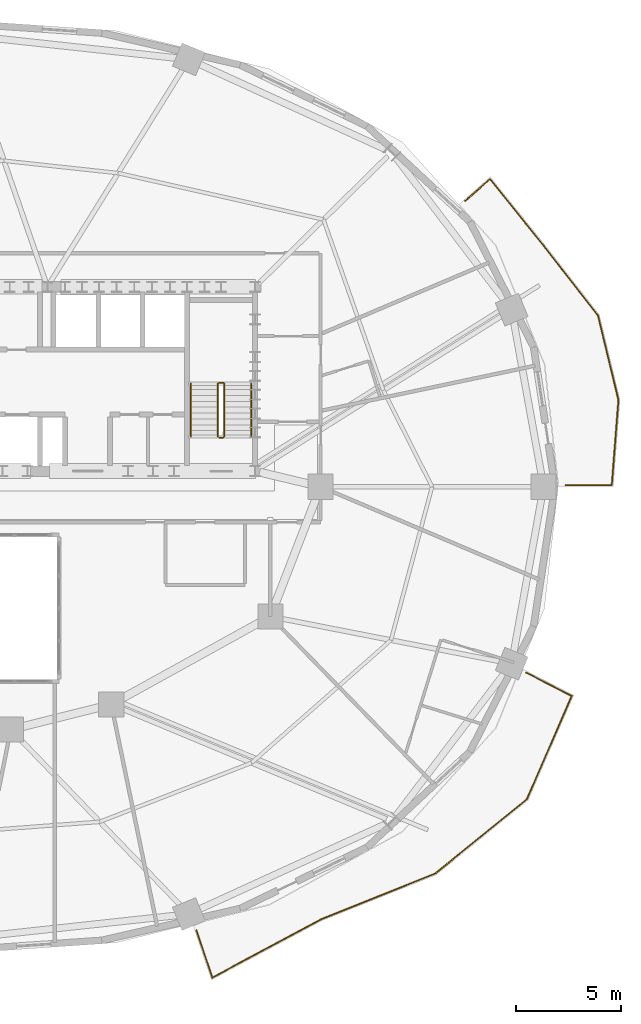
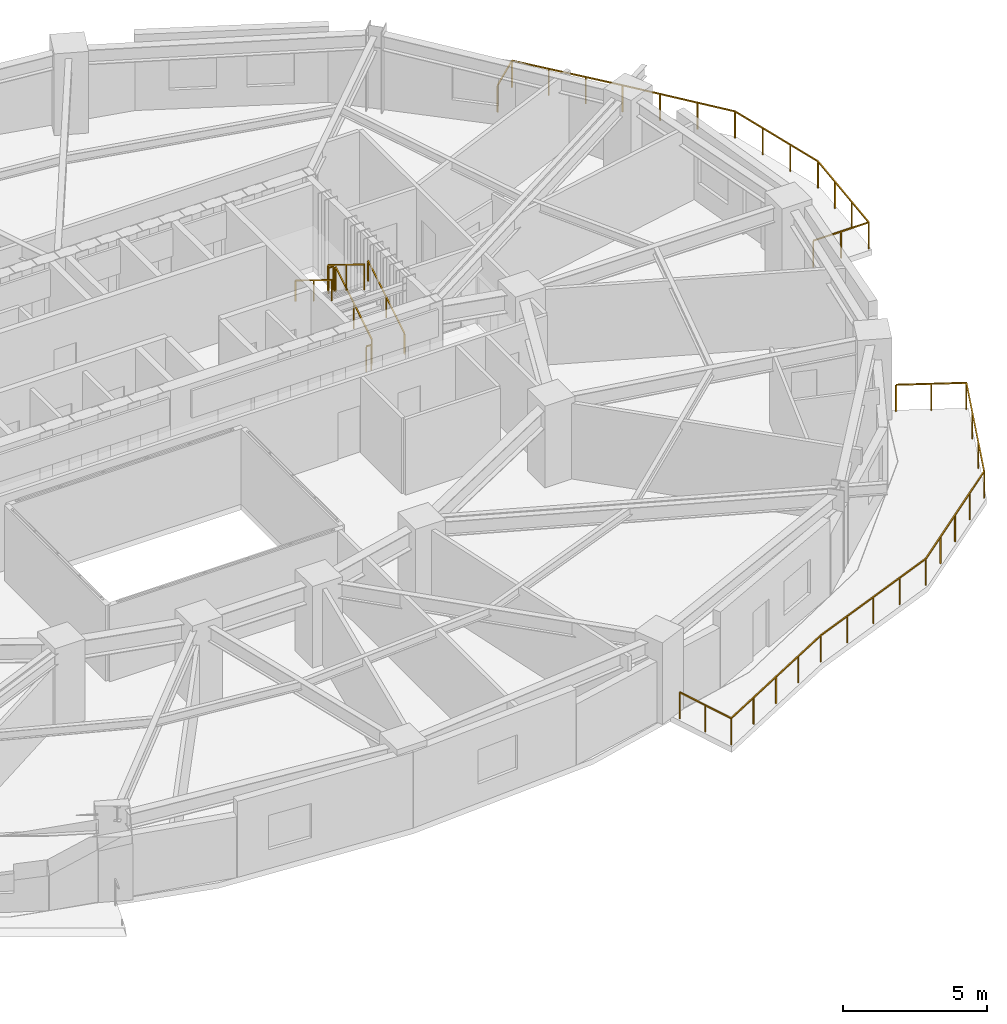
# One storey, part 12 of 12: 8 railings.
"""IFC4 building model written with IfcOpenShell, lengths in metres."""

from ifc_helpers import new_model, si_unit, direction, frame, origin, origin_2d, place, context, subcontext, project, spatial, rectangle, extrude, material, type_object, element, save


model = new_model("IFC4")

# Units and contexts
model_context = context("Model", 3, precision=1e-05, world=origin(), true_north=direction((0.0, 1.0)))
body_context = subcontext(model_context, "Body", "Model", "MODEL_VIEW")
ifc_project = project(units=[si_unit("LENGTHUNIT", "METRE"), si_unit("AREAUNIT", "SQUARE_METRE"), si_unit("VOLUMEUNIT", "CUBIC_METRE"), si_unit("PLANEANGLEUNIT", "RADIAN"), si_unit("MASSUNIT", "GRAM", prefix="KILO")], contexts=[model_context])

# Site, building, storey
site_placement = place(None, origin())
site = spatial("IfcSite", under=ifc_project, at=site_placement, CompositionType="ELEMENT")
building_placement = place(site_placement, origin())
building = spatial("IfcBuilding", under=site, at=building_placement, Name="Haldorwick Loom Tower", CompositionType="ELEMENT")
storey_placement = place(building_placement, frame((0.0, 0.0, 113.89990234375)))
storey = spatial("IfcBuildingStorey", under=building, at=storey_placement, Name="L30", CompositionType="ELEMENT", Elevation=113.89990234375)

# Railings
ifc_material_1 = material(Name="Galvanized Steel CSA G40.21 350W", Category="steel")
railing_type_1 = type_object("IfcRailingType", Name="ARC-RLG-BAL115", PredefinedType="BALUSTRADE", material=ifc_material_1)
railing_1_placement = place(storey_placement, frame((63.02734375, 17.12060546875, 0.0)))
element("IfcRailing", 1, at=railing_1_placement, inside=storey, type_object=railing_type_1, Name="L30 Outdoor Terrace Guardrail SLB-L30-BAL_SE-1", PredefinedType="BALUSTRADE", context=body_context, shape_type="SweptSolid", body=[
    extrude(rectangle(XDim=0.048095703125, YDim=0.048095703125, at=origin_2d()), frame((0.0, 0.0, 1.1259765625), z_axis=(0.889429612892, -0.457072164663, 0.0), x_axis=(0.457072164663, 0.889429612892, 0.0)), (0.0, 0.0, 1.0), 2.43994140625),
    extrude(rectangle(XDim=0.048095703125, YDim=0.048095703125, at=origin_2d()), frame((2.170166015625, -1.115234375, 1.1259765625), z_axis=(-0.397566652573, -0.91757329776, 0.0), x_axis=(0.91757329776, -0.397566652573, 0.0)), (0.0, 0.0, 1.0), 5.375732421875),
    extrude(rectangle(XDim=0.048095703125, YDim=0.048095703125, at=origin_2d()), frame((0.032958984375, -6.0478515625, 1.1259765625), z_axis=(-0.776696226743, -0.629875361768, 0.0), x_axis=(0.629875361768, -0.776696226743, 0.0)), (0.0, 0.0, 1.0), 5.640380859375),
    extrude(rectangle(XDim=0.048095703125, YDim=0.048095703125, at=origin_2d()), frame((-4.347900390625, -9.6005859375, 1.1259765625), z_axis=(-0.928201502057, -0.372077910631, 0.0), x_axis=(0.372077910631, -0.928201502057, 0.0)), (0.0, 0.0, 1.0), 5.879150390625),
    extrude(rectangle(XDim=0.048095703125, YDim=0.048095703125, at=origin_2d()), frame((-9.804931640625, -11.7880859375, 1.1259765625), z_axis=(-0.899814107196, -0.436273506519, 0.0), x_axis=(0.436273506519, -0.899814107196, 0.0)), (0.0, 0.0, 1.0), 0.009033203125),
    extrude(rectangle(XDim=0.048095703125, YDim=0.048095703125, at=origin_2d()), frame((-9.81298828125, -11.7919921875, 1.1259765625), z_axis=(-0.881315820171, -0.472527697725, 0.0), x_axis=(0.472527697725, -0.881315820171, 0.0)), (0.0, 0.0, 1.0), 5.88330078125),
    extrude(rectangle(XDim=0.048095703125, YDim=0.048095703125, at=origin_2d()), frame((-14.998046875, -14.572021484375, 1.1259765625), z_axis=(-0.318165011084, 0.94803535046, 0.0), x_axis=(-0.94803535046, -0.318165011084, 0.0)), (0.0, 0.0, 1.0), 2.381103515625),
    extrude(rectangle(XDim=0.0419921875, YDim=0.0419921875, at=origin_2d()), origin(), (0.0, 0.0, 1.0), 1.101806640625),
    extrude(rectangle(XDim=0.0419921875, YDim=0.0419921875, at=origin_2d()), frame((1.0849609375, -0.5576171875, 0.0)), (0.0, 0.0, 1.0), 1.101806640625),
    extrude(rectangle(XDim=0.0419921875, YDim=0.0419921875, at=origin_2d()), frame((2.170166015625, -1.115234375, 0.0)), (0.0, 0.0, 1.0), 1.101806640625),
    extrude(rectangle(XDim=0.0419921875, YDim=0.0419921875, at=origin_2d()), frame((1.457763671875, -2.759521484375, 0.0)), (0.0, 0.0, 1.0), 1.101806640625),
    extrude(rectangle(XDim=0.0419921875, YDim=0.0419921875, at=origin_2d()), frame((0.745361328125, -4.403564453125, 0.0)), (0.0, 0.0, 1.0), 1.101806640625),
    extrude(rectangle(XDim=0.0419921875, YDim=0.0419921875, at=origin_2d()), frame((0.032958984375, -6.0478515625, 0.0)), (0.0, 0.0, 1.0), 1.101806640625),
    extrude(rectangle(XDim=0.0419921875, YDim=0.0419921875, at=origin_2d()), frame((-1.062255859375, -6.93603515625, 0.0)), (0.0, 0.0, 1.0), 1.101806640625),
    extrude(rectangle(XDim=0.0419921875, YDim=0.0419921875, at=origin_2d()), frame((-2.157470703125, -7.82421875, 0.0)), (0.0, 0.0, 1.0), 1.101806640625),
    extrude(rectangle(XDim=0.0419921875, YDim=0.0419921875, at=origin_2d()), frame((-3.252685546875, -8.71240234375, 0.0)), (0.0, 0.0, 1.0), 1.101806640625),
    extrude(rectangle(XDim=0.0419921875, YDim=0.0419921875, at=origin_2d()), frame((-4.347900390625, -9.6005859375, 0.0)), (0.0, 0.0, 1.0), 1.101806640625),
    extrude(rectangle(XDim=0.0419921875, YDim=0.0419921875, at=origin_2d()), frame((-5.712158203125, -10.1474609375, 0.0)), (0.0, 0.0, 1.0), 1.101806640625),
    extrude(rectangle(XDim=0.0419921875, YDim=0.0419921875, at=origin_2d()), frame((-7.076416015625, -10.6943359375, 0.0)), (0.0, 0.0, 1.0), 1.101806640625),
    extrude(rectangle(XDim=0.0419921875, YDim=0.0419921875, at=origin_2d()), frame((-8.440673828125, -11.2412109375, 0.0)), (0.0, 0.0, 1.0), 1.101806640625),
    extrude(rectangle(XDim=0.0419921875, YDim=0.0419921875, at=origin_2d()), frame((-9.804931640625, -11.7880859375, 0.0)), (0.0, 0.0, 1.0), 1.101806640625),
    extrude(rectangle(XDim=0.0419921875, YDim=0.0419921875, at=origin_2d()), frame((-11.109375, -12.487060546875, 0.0)), (0.0, 0.0, 1.0), 1.101806640625),
    extrude(rectangle(XDim=0.0419921875, YDim=0.0419921875, at=origin_2d()), frame((-12.405517578125, -13.18212890625, 0.0)), (0.0, 0.0, 1.0), 1.101806640625),
    extrude(rectangle(XDim=0.0419921875, YDim=0.0419921875, at=origin_2d()), frame((-13.70166015625, -13.876953125, 0.0)), (0.0, 0.0, 1.0), 1.101806640625),
    extrude(rectangle(XDim=0.0419921875, YDim=0.0419921875, at=origin_2d()), frame((-14.998046875, -14.572021484375, 0.0)), (0.0, 0.0, 1.0), 1.101806640625),
    extrude(rectangle(XDim=0.0419921875, YDim=0.0419921875, at=origin_2d()), frame((-15.376953125, -13.443359375, 0.0)), (0.0, 0.0, 1.0), 1.101806640625),
    extrude(rectangle(XDim=0.0419921875, YDim=0.0419921875, at=origin_2d()), frame((-15.755615234375, -12.314697265625, 0.0)), (0.0, 0.0, 1.0), 1.101806640625),
])
railing_2_placement = place(storey_placement, frame((60.118408203125, 39.65380859375, 0.0)))
element("IfcRailing", 2, at=railing_2_placement, inside=storey, type_object=railing_type_1, Name="L30 Outdoor Terrace Guardrail SLB-L30-BAL_ENE-1", PredefinedType="BALUSTRADE", context=body_context, shape_type="SweptSolid", body=[
    extrude(rectangle(XDim=0.048095703125, YDim=0.048095703125, at=origin_2d()), frame((0.0, 0.0, 1.1259765625), z_axis=(0.748032492296, 0.663662105645, 0.0), x_axis=(-0.663662105645, 0.748032492296, 0.0)), (0.0, 0.0, 1.0), 1.5771484375),
    extrude(rectangle(XDim=0.048095703125, YDim=0.048095703125, at=origin_2d()), frame((1.1796875, 1.046630859375, 1.1259765625), z_axis=(0.626349115243, -0.779542677365, 0.0), x_axis=(0.779542677365, 0.626349115243, 0.0)), (0.0, 0.0, 1.0), 4.1005859375),
    extrude(rectangle(XDim=0.048095703125, YDim=0.048095703125, at=origin_2d()), frame((3.748046875, -2.14990234375, 1.1259765625), z_axis=(0.614812335218, -0.788673438417, 0.0), x_axis=(0.788673438417, 0.614812335218, 0.0)), (0.0, 0.0, 1.0), 4.20556640625),
    extrude(rectangle(XDim=0.048095703125, YDim=0.048095703125, at=origin_2d()), frame((6.333740234375, -5.466796875, 1.1259765625), z_axis=(0.235391793372, -0.971900562616, 0.0), x_axis=(0.971900562616, 0.235391793372, 0.0)), (0.0, 0.0, 1.0), 4.1611328125),
    extrude(rectangle(XDim=0.048095703125, YDim=0.048095703125, at=origin_2d()), frame((7.313232421875, -9.510986328125, 1.1259765625), z_axis=(-0.078061651298, -0.996948533575, 0.0), x_axis=(0.996948533575, -0.078061651298, 0.0)), (0.0, 0.0, 1.0), 4.0751953125),
    extrude(rectangle(XDim=0.048095703125, YDim=0.048095703125, at=origin_2d()), frame((6.9951171875, -13.57373046875, 1.1259765625), z_axis=(-1.0, 0.0, 0.0), x_axis=(0.0, -1.0, 0.0)), (0.0, 0.0, 1.0), 2.212646484375),
    extrude(rectangle(XDim=0.0419921875, YDim=0.0419921875, at=origin_2d()), origin(), (0.0, 0.0, 1.0), 1.101806640625),
    extrude(rectangle(XDim=0.0419921875, YDim=0.0419921875, at=origin_2d()), frame((1.1796875, 1.046630859375, 0.0)), (0.0, 0.0, 1.0), 1.101806640625),
    extrude(rectangle(XDim=0.0419921875, YDim=0.0419921875, at=origin_2d()), frame((2.035888671875, -0.018798828125, 0.0)), (0.0, 0.0, 1.0), 1.101806640625),
    extrude(rectangle(XDim=0.0419921875, YDim=0.0419921875, at=origin_2d()), frame((2.891845703125, -1.08447265625, 0.0)), (0.0, 0.0, 1.0), 1.101806640625),
    extrude(rectangle(XDim=0.0419921875, YDim=0.0419921875, at=origin_2d()), frame((3.748046875, -2.14990234375, 0.0)), (0.0, 0.0, 1.0), 1.101806640625),
    extrude(rectangle(XDim=0.0419921875, YDim=0.0419921875, at=origin_2d()), frame((4.60986328125, -3.255615234375, 0.0)), (0.0, 0.0, 1.0), 1.101806640625),
    extrude(rectangle(XDim=0.0419921875, YDim=0.0419921875, at=origin_2d()), frame((5.471923828125, -4.361083984375, 0.0)), (0.0, 0.0, 1.0), 1.101806640625),
    extrude(rectangle(XDim=0.0419921875, YDim=0.0419921875, at=origin_2d()), frame((6.333740234375, -5.466796875, 0.0)), (0.0, 0.0, 1.0), 1.101806640625),
    extrude(rectangle(XDim=0.0419921875, YDim=0.0419921875, at=origin_2d()), frame((6.66015625, -6.81494140625, 0.0)), (0.0, 0.0, 1.0), 1.101806640625),
    extrude(rectangle(XDim=0.0419921875, YDim=0.0419921875, at=origin_2d()), frame((6.98681640625, -8.162841796875, 0.0)), (0.0, 0.0, 1.0), 1.101806640625),
    extrude(rectangle(XDim=0.0419921875, YDim=0.0419921875, at=origin_2d()), frame((7.313232421875, -9.510986328125, 0.0)), (0.0, 0.0, 1.0), 1.101806640625),
    extrude(rectangle(XDim=0.0419921875, YDim=0.0419921875, at=origin_2d()), frame((7.207275390625, -10.865234375, 0.0)), (0.0, 0.0, 1.0), 1.101806640625),
    extrude(rectangle(XDim=0.0419921875, YDim=0.0419921875, at=origin_2d()), frame((7.10107421875, -12.219482421875, 0.0)), (0.0, 0.0, 1.0), 1.101806640625),
    extrude(rectangle(XDim=0.0419921875, YDim=0.0419921875, at=origin_2d()), frame((6.9951171875, -13.57373046875, 0.0)), (0.0, 0.0, 1.0), 1.101806640625),
    extrude(rectangle(XDim=0.0419921875, YDim=0.0419921875, at=origin_2d()), frame((5.888671875, -13.57373046875, 0.0)), (0.0, 0.0, 1.0), 1.101806640625),
    extrude(rectangle(XDim=0.0419921875, YDim=0.0419921875, at=origin_2d()), frame((4.782470703125, -13.57373046875, 0.0)), (0.0, 0.0, 1.0), 1.101806640625),
])
ifc_material_2 = material(Name="Steel CSA G40.21 350W", Category="steel")
railing_type_2 = type_object("IfcRailingType", Name="ARC-RLG-GUARD112", PredefinedType="GUARDRAIL", material=ifc_material_2)
railing_3_placement = place(storey_placement, frame((48.60009765625, 28.39990234375, 0.172607421875)))
element("IfcRailing", 3, at=railing_3_placement, inside=storey, type_object=railing_type_2, Name="L30 ST-02 stair guard 1", PredefinedType="GUARDRAIL", context=body_context, shape_type="SweptSolid", body=[
    extrude(rectangle(XDim=0.048095703125, YDim=0.048095703125, at=origin_2d()), frame((0.0, 0.0, 1.076171875), z_axis=(0.0, 0.851400495292, 0.524516154772), x_axis=(-1.0, 0.0, 0.0)), (0.0, 0.0, 1.0), 2.9599609375),
    extrude(rectangle(XDim=0.0419921875, YDim=0.0419921875, at=origin_2d()), origin(), (0.0, 0.0, 1.0), 1.052001953125),
    extrude(rectangle(XDim=0.0419921875, YDim=0.0419921875, at=origin_2d()), frame((0.0, 1.260009765625, 0.7763671875)), (0.0, 0.0, 1.0), 1.052001953125),
    extrude(rectangle(XDim=0.0419921875, YDim=0.0419921875, at=origin_2d()), frame((0.0, 2.52001953125, 1.552490234375)), (0.0, 0.0, 1.0), 1.052001953125),
])
railing_4_placement = place(storey_placement, frame((48.550048828125, 30.969970703125, 1.72509765625)))
element("IfcRailing", 4, at=railing_4_placement, inside=storey, type_object=railing_type_2, Name="L30 ST-02 stair guard 2", PredefinedType="GUARDRAIL", context=body_context, shape_type="SweptSolid", body=[
    extrude(rectangle(XDim=0.048095703125, YDim=0.048095703125, at=origin_2d()), frame((0.0, 0.0, 1.076171875), z_axis=(-1.0, 0.0, 0.0), x_axis=(0.0, -1.0, 0.0)), (0.0, 0.0, 1.0), 0.199951171875),
    extrude(rectangle(XDim=0.0419921875, YDim=0.0419921875, at=origin_2d()), origin(), (0.0, 0.0, 1.0), 1.052001953125),
    extrude(rectangle(XDim=0.0419921875, YDim=0.0419921875, at=origin_2d()), frame((-0.199951171875, 0.0, 0.0)), (0.0, 0.0, 1.0), 1.052001953125),
])
railing_5_placement = place(storey_placement, frame((48.300048828125, 30.919921875, 1.897705078125)))
element("IfcRailing", 5, at=railing_5_placement, inside=storey, type_object=railing_type_2, Name="L30 ST-02 stair guard 3", PredefinedType="GUARDRAIL", context=body_context, shape_type="SweptSolid", body=[
    extrude(rectangle(XDim=0.048095703125, YDim=0.048095703125, at=origin_2d()), frame((0.0, 0.0, 1.076171875), z_axis=(0.0, -0.851400495292, 0.524516154772), x_axis=(1.0, 0.0, 0.0)), (0.0, 0.0, 1.0), 2.9599609375),
    extrude(rectangle(XDim=0.0419921875, YDim=0.0419921875, at=origin_2d()), origin(), (0.0, 0.0, 1.0), 1.052001953125),
    extrude(rectangle(XDim=0.0419921875, YDim=0.0419921875, at=origin_2d()), frame((0.0, -1.260009765625, 0.7763671875)), (0.0, 0.0, 1.0), 1.052001953125),
    extrude(rectangle(XDim=0.0419921875, YDim=0.0419921875, at=origin_2d()), frame((0.0, -2.52001953125, 1.552490234375)), (0.0, 0.0, 1.0), 1.052001953125),
])
railing_6_placement = place(storey_placement, frame((48.550048828125, 28.35009765625, 0.0)))
element("IfcRailing", 6, at=railing_6_placement, inside=storey, type_object=railing_type_2, Name="L30 ST-02 stair guard 4", PredefinedType="GUARDRAIL", context=body_context, shape_type="SweptSolid", body=[
    extrude(rectangle(XDim=0.048095703125, YDim=0.048095703125, at=origin_2d()), frame((0.0, 0.0, 1.076171875), z_axis=(-1.0, 0.0, 0.0), x_axis=(0.0, -1.0, 0.0)), (0.0, 0.0, 1.0), 0.199951171875),
    extrude(rectangle(XDim=0.0419921875, YDim=0.0419921875, at=origin_2d()), origin(), (0.0, 0.0, 1.0), 1.052001953125),
    extrude(rectangle(XDim=0.0419921875, YDim=0.0419921875, at=origin_2d()), frame((-0.199951171875, 0.0, 0.0)), (0.0, 0.0, 1.0), 1.052001953125),
])
railing_type_3 = type_object("IfcRailingType", Name="ARC-RLG-HAND092", PredefinedType="HANDRAIL", material=ifc_material_2)
railing_7_placement = place(storey_placement, frame((49.89990234375, 28.39990234375, 0.172607421875)))
element("IfcRailing", 7, at=railing_7_placement, inside=storey, type_object=railing_type_3, Name="L30 ST-02 stair handrail 1", PredefinedType="HANDRAIL", context=body_context, shape_type="SweptSolid", body=[
    extrude(rectangle(XDim=0.048095703125, YDim=0.048095703125, at=origin_2d()), frame((0.0, 0.0, 0.8759765625), z_axis=(0.0, 0.851400495292, 0.524516154772), x_axis=(-1.0, 0.0, 0.0)), (0.0, 0.0, 1.0), 2.9599609375),
    extrude(rectangle(XDim=0.0419921875, YDim=0.0419921875, at=origin_2d()), origin(), (0.0, 0.0, 1.0), 0.851806640625),
    extrude(rectangle(XDim=0.0419921875, YDim=0.0419921875, at=origin_2d()), frame((0.0, 1.260009765625, 0.7763671875)), (0.0, 0.0, 1.0), 0.851806640625),
    extrude(rectangle(XDim=0.0419921875, YDim=0.0419921875, at=origin_2d()), frame((0.0, 2.52001953125, 1.552490234375)), (0.0, 0.0, 1.0), 0.851806640625),
])
railing_8_placement = place(storey_placement, frame((47.0, 30.919921875, 1.897705078125)))
element("IfcRailing", 8, at=railing_8_placement, inside=storey, type_object=railing_type_3, Name="L30 ST-02 stair handrail 2", PredefinedType="HANDRAIL", context=body_context, shape_type="SweptSolid", body=[
    extrude(rectangle(XDim=0.048095703125, YDim=0.048095703125, at=origin_2d()), frame((0.0, 0.0, 0.8759765625), z_axis=(0.0, -0.851400495292, 0.524516154772), x_axis=(1.0, 0.0, 0.0)), (0.0, 0.0, 1.0), 2.9599609375),
    extrude(rectangle(XDim=0.0419921875, YDim=0.0419921875, at=origin_2d()), origin(), (0.0, 0.0, 1.0), 0.851806640625),
    extrude(rectangle(XDim=0.0419921875, YDim=0.0419921875, at=origin_2d()), frame((0.0, -1.260009765625, 0.7763671875)), (0.0, 0.0, 1.0), 0.851806640625),
    extrude(rectangle(XDim=0.0419921875, YDim=0.0419921875, at=origin_2d()), frame((0.0, -2.52001953125, 1.552490234375)), (0.0, 0.0, 1.0), 0.851806640625),
])

save(model, "model.ifc")
